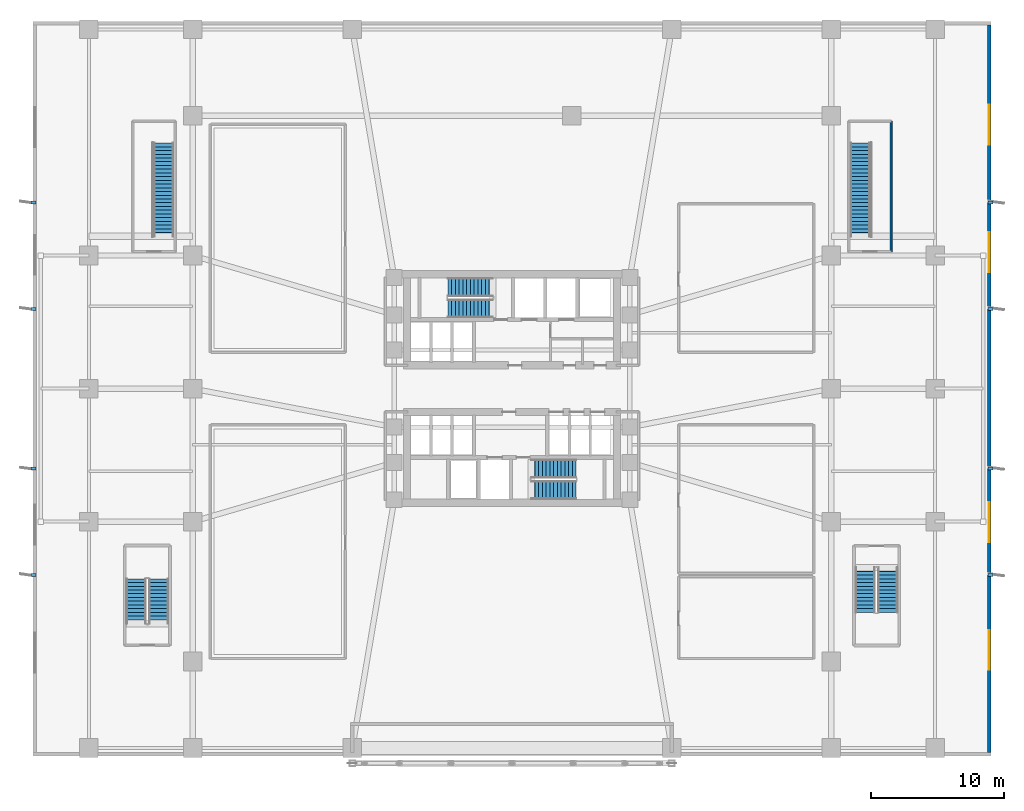
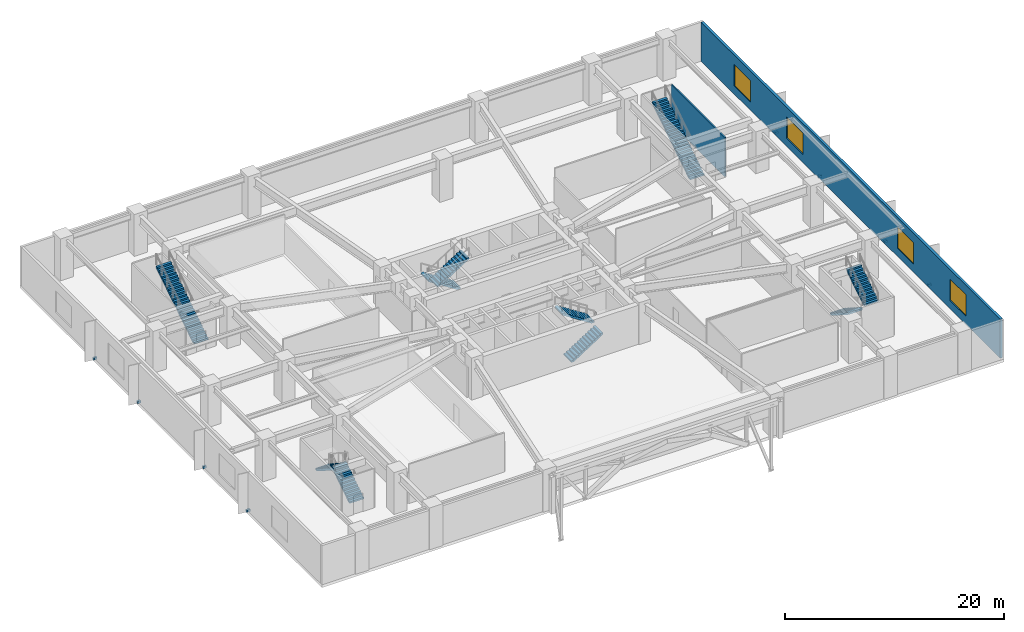
# One storey, part 15 of 21: 10 stair flights, 8 discrete accessories, 4 windows, 2 walls, 4 openings, 6 elements without a shape of their own.
"""IFC4 building model written with IfcOpenShell, lengths in metres."""

from ifc_helpers import new_model, si_unit, direction, frame, frame_2d, origin, origin_2d, place, context, subcontext, project, spatial, polyline, rectangle, outline, extrude, material, layer, layer_set, type_object, element, fill, aggregate, save


model = new_model("IFC4")

# Units and contexts
model_context = context("Model", 3, precision=1e-05, world=origin(), true_north=direction((0.0, 1.0)))
body_context = subcontext(model_context, "Body", "Model", "MODEL_VIEW")
ifc_project = project(units=[si_unit("LENGTHUNIT", "METRE"), si_unit("AREAUNIT", "SQUARE_METRE"), si_unit("VOLUMEUNIT", "CUBIC_METRE"), si_unit("PLANEANGLEUNIT", "RADIAN"), si_unit("MASSUNIT", "GRAM", prefix="KILO")], contexts=[model_context])

# Site, building, storey
site_placement = place(None, origin())
site = spatial("IfcSite", under=ifc_project, at=site_placement, CompositionType="ELEMENT")
building_placement = place(site_placement, origin())
building = spatial("IfcBuilding", under=site, at=building_placement, Name="Solmarez Civic Tower", CompositionType="ELEMENT")
storey_placement = place(building_placement, frame((0.0, 0.0, 10.080078125)))
storey = spatial("IfcBuildingStorey", under=building, at=storey_placement, Name="L02", CompositionType="ELEMENT", Elevation=10.080078125)

# Wall, openings, windows
ifc_material_1 = material(Name="Precast concrete C40/50", Category="concrete")
ifc_layer_1 = layer(ifc_material_1, 0.260009765625)
ifc_layer_set_1 = layer_set([ifc_layer_1], Name="Precast concrete C40/50")
wall_type_1 = type_object("IfcWallType", Name="WALL-EXT-260", PredefinedType="SOLIDWALL", material=ifc_layer_set_1)
wall_1_placement = place(storey_placement, frame((35.8701171875, 27.340087890625, 0.0), z_axis=(0.0, 0.0, 1.0), x_axis=(0.0, -1.0, 0.0)))
wall_1 = element("IfcWall", 1, at=wall_1_placement, inside=storey, type_object=wall_type_1, Name="L02 East Exterior Precast Wall", PredefinedType="SOLIDWALL", context=body_context, shape_type="SweptSolid", body=[
    extrude(rectangle(XDim=54.68017578125, YDim=0.260009765625, at=frame_2d((27.340087890625, 0.0))), origin(), (0.0, 0.0, 1.0), 4.35986328125),
])
opening_1_placement = place(wall_1_placement, frame((6.0, 0.0, 0.89990234375)))
opening_1 = element("IfcOpeningElement", 2, at=opening_1_placement, cuts=wall_1, Name="Opening W-15", PredefinedType="OPENING", context=body_context, shape_type="SweptSolid", body=[
    extrude(rectangle(XDim=3.0, YDim=2.39990234375, at=frame_2d((1.5, 1.199951171875))), frame((0.0, 0.139892578125, 0.0), z_axis=(0.0, -1.0, 0.0), x_axis=(1.0, 0.0, 0.0)), (0.0, 0.0, 1.0), 0.280029296875),
])
opening_2_placement = place(wall_1_placement, frame((15.60009765625, 0.0, 0.89990234375)))
opening_2 = element("IfcOpeningElement", 3, at=opening_2_placement, cuts=wall_1, Name="Opening W-15", PredefinedType="OPENING", context=body_context, shape_type="SweptSolid", body=[
    extrude(rectangle(XDim=3.0, YDim=2.39990234375, at=frame_2d((1.5, 1.199951171875))), frame((0.0, 0.139892578125, 0.0), z_axis=(0.0, -1.0, 0.0), x_axis=(1.0, 0.0, 0.0)), (0.0, 0.0, 1.0), 0.280029296875),
])
opening_3_placement = place(wall_1_placement, frame((35.8798828125, 0.0, 0.89990234375)))
opening_3 = element("IfcOpeningElement", 4, at=opening_3_placement, cuts=wall_1, Name="Opening W-15", PredefinedType="OPENING", context=body_context, shape_type="SweptSolid", body=[
    extrude(rectangle(XDim=3.0, YDim=2.39990234375, at=frame_2d((1.5, 1.199951171875))), frame((0.0, 0.139892578125, 0.0), z_axis=(0.0, -1.0, 0.0), x_axis=(1.0, 0.0, 0.0)), (0.0, 0.0, 1.0), 0.280029296875),
])
opening_4_placement = place(wall_1_placement, frame((45.47998046875, 0.0, 0.89990234375)))
opening_4 = element("IfcOpeningElement", 5, at=opening_4_placement, cuts=wall_1, Name="Opening W-15", PredefinedType="OPENING", context=body_context, shape_type="SweptSolid", body=[
    extrude(rectangle(XDim=3.0, YDim=2.39990234375, at=frame_2d((1.5, 1.199951171875))), frame((0.0, 0.139892578125, 0.0), z_axis=(0.0, -1.0, 0.0), x_axis=(1.0, 0.0, 0.0)), (0.0, 0.0, 1.0), 0.280029296875),
])
ifc_material_2 = material(Name="Solar Control Bronze-Tinted Insulating Glass", Category="glass")
window_type = type_object("IfcWindowType", Name="WIN-3000X2400", PartitioningType="SINGLE_PANEL", PredefinedType="WINDOW", material=ifc_material_2)
window_1_placement = place(opening_1_placement, origin())
window_1 = element("IfcWindow", 6, at=window_1_placement, inside=storey, type_object=window_type, Name="L02 Podium Facade Window 1", OverallHeight=2.39990234375, OverallWidth=3.0, PartitioningType="SINGLE_PANEL", PredefinedType="WINDOW", context=body_context, shape_type="SweptSolid", body=[
    extrude(rectangle(XDim=3.0, YDim=2.39990234375, at=frame_2d((1.5, 1.199951171875))), frame((0.0, 0.030029296875, 0.0), z_axis=(0.0, -1.0, 0.0), x_axis=(1.0, 0.0, 0.0)), (0.0, 0.0, 1.0), 0.06005859375),
])
fill(opening_1, window_1)
window_2_placement = place(opening_2_placement, origin())
window_2 = element("IfcWindow", 7, at=window_2_placement, inside=storey, type_object=window_type, Name="L02 Podium Facade Window 2", OverallHeight=2.39990234375, OverallWidth=3.0, PartitioningType="SINGLE_PANEL", PredefinedType="WINDOW", context=body_context, shape_type="SweptSolid", body=[
    extrude(rectangle(XDim=3.0, YDim=2.39990234375, at=frame_2d((1.5, 1.199951171875))), frame((0.0, 0.030029296875, 0.0), z_axis=(0.0, -1.0, 0.0), x_axis=(1.0, 0.0, 0.0)), (0.0, 0.0, 1.0), 0.06005859375),
])
fill(opening_2, window_2)
window_3_placement = place(opening_3_placement, origin())
window_3 = element("IfcWindow", 8, at=window_3_placement, inside=storey, type_object=window_type, Name="L02 Podium Facade Window 3", OverallHeight=2.39990234375, OverallWidth=3.0, PartitioningType="SINGLE_PANEL", PredefinedType="WINDOW", context=body_context, shape_type="SweptSolid", body=[
    extrude(rectangle(XDim=3.0, YDim=2.39990234375, at=frame_2d((1.5, 1.199951171875))), frame((0.0, 0.030029296875, 0.0), z_axis=(0.0, -1.0, 0.0), x_axis=(1.0, 0.0, 0.0)), (0.0, 0.0, 1.0), 0.06005859375),
])
fill(opening_3, window_3)
window_4_placement = place(opening_4_placement, origin())
window_4 = element("IfcWindow", 9, at=window_4_placement, inside=storey, type_object=window_type, Name="L02 Podium Facade Window 4", OverallHeight=2.39990234375, OverallWidth=3.0, PartitioningType="SINGLE_PANEL", PredefinedType="WINDOW", context=body_context, shape_type="SweptSolid", body=[
    extrude(rectangle(XDim=3.0, YDim=2.39990234375, at=frame_2d((1.5, 1.199951171875))), frame((0.0, 0.030029296875, 0.0), z_axis=(0.0, -1.0, 0.0), x_axis=(1.0, 0.0, 0.0)), (0.0, 0.0, 1.0), 0.06005859375),
])
fill(opening_4, window_4)

# Wall
ifc_material_3 = material(Name="Gypsum Board Acoustic Steel-Stud Partition", Category="steel")
ifc_layer_2 = layer(ifc_material_3, 0.14990234375)
ifc_layer_set_2 = layer_set([ifc_layer_2], Name="Gypsum Board Acoustic Steel-Stud Partition")
wall_type_2 = type_object("IfcWallType", Name="WALL-INT-FIRE-150", PredefinedType="PARTITIONING", material=ifc_layer_set_2)
wall_2_placement = place(storey_placement, frame((28.47998046875, 10.300048828125, 0.0), z_axis=(0.0, 0.0, 1.0), x_axis=(0.0, 1.0, 0.0)))
element("IfcWall", 10, at=wall_2_placement, inside=storey, type_object=wall_type_2, Name="L02 Podium Stair P4 Shaft Wall", PredefinedType="PARTITIONING", context=body_context, shape_type="SweptSolid", body=[
    extrude(rectangle(XDim=9.800048828125, YDim=0.14990234375, at=frame_2d((4.89990234375, 0.0))), origin(), (0.0, 0.0, 1.0), 4.35986328125),
])

# Stair, stair flights
ifc_material_4 = material(Name="Concrete C50/60", Category="concrete")
stair_type_1 = type_object("IfcStairType", Name="STAIR-DOGLEG-140W-26R-1800", PredefinedType="HALF_TURN_STAIR", material=ifc_material_4)
stair_1_placement = place(storey_placement, origin())
stair_1 = element("IfcStair", 11, at=stair_1_placement, inside=storey, type_object=stair_type_1, Name="L02 North Core Protected Exit Stair ST-1", PredefinedType="HALF_TURN_STAIR")
stair_flight_type_1 = type_object("IfcStairFlightType", Name="FLIGHT-DOGLEG-140W-13R-1800", PredefinedType="STRAIGHT", material=ifc_material_4)
stair_flight_1_placement = place(storey_placement, frame((-1.449951171875, 7.6201171875, 0.0), z_axis=(0.0, 0.0, 1.0), x_axis=(-1.0, 0.0, 0.0)))
stair_flight_1 = element("IfcStairFlight", 12, at=stair_flight_1_placement, type_object=stair_flight_type_1, Name="ST-1 flight 1", NumberOfRisers=13, NumberOfTreads=12, PredefinedType="STRAIGHT", RiserHeight=0.18, TreadLength=0.28, context=body_context, shape_type="SweptSolid", body=[
    extrude(outline(polyline([(0.0, 0.0), (0.0, 0.179931640625), (0.280029296875, 0.179931640625), (0.280029296875, 0.360107421875), (0.56005859375, 0.360107421875), (0.56005859375, 0.5400390625), (0.840087890625, 0.5400390625), (0.840087890625, 0.719970703125), (1.1201171875, 0.719970703125), (1.1201171875, 0.89990234375), (1.39990234375, 0.89990234375), (1.39990234375, 1.080078125), (1.679931640625, 1.080078125), (1.679931640625, 1.260009765625), (1.9599609375, 1.260009765625), (1.9599609375, 1.43994140625), (2.239990234375, 1.43994140625), (2.239990234375, 1.6201171875), (2.52001953125, 1.6201171875), (2.52001953125, 1.800048828125), (2.800048828125, 1.800048828125), (2.800048828125, 1.97998046875), (3.080078125, 1.97998046875), (3.080078125, 2.159912109375), (3.360107421875, 2.159912109375), (3.360107421875, 2.340087890625), (3.360107421875, 1.969970703125), (0.295654296875, 0.0), (0.0, 0.0)])), frame((0.0, 0.699951171875, 0.0), z_axis=(0.0, -1.0, 0.0), x_axis=(1.0, 0.0, 0.0)), (0.0, 0.0, 1.0), 1.39990234375),
])
stair_flight_2_placement = place(storey_placement, frame((-4.81005859375, 6.02001953125, 2.33984375), z_axis=(0.0, 0.0, 1.0), x_axis=(1.0, 0.0, 0.0)))
stair_flight_2 = element("IfcStairFlight", 13, at=stair_flight_2_placement, type_object=stair_flight_type_1, Name="ST-1 flight 2", NumberOfRisers=13, NumberOfTreads=12, PredefinedType="STRAIGHT", RiserHeight=0.18, TreadLength=0.28, context=body_context, shape_type="SweptSolid", body=[
    extrude(outline(polyline([(0.0, 0.0), (0.0, 0.179931640625), (0.280029296875, 0.179931640625), (0.280029296875, 0.360107421875), (0.56005859375, 0.360107421875), (0.56005859375, 0.5400390625), (0.840087890625, 0.5400390625), (0.840087890625, 0.719970703125), (1.1201171875, 0.719970703125), (1.1201171875, 0.89990234375), (1.39990234375, 0.89990234375), (1.39990234375, 1.080078125), (1.679931640625, 1.080078125), (1.679931640625, 1.260009765625), (1.9599609375, 1.260009765625), (1.9599609375, 1.43994140625), (2.239990234375, 1.43994140625), (2.239990234375, 1.6201171875), (2.52001953125, 1.6201171875), (2.52001953125, 1.800048828125), (2.800048828125, 1.800048828125), (2.800048828125, 1.97998046875), (3.080078125, 1.97998046875), (3.080078125, 2.159912109375), (3.360107421875, 2.159912109375), (3.360107421875, 2.340087890625), (3.360107421875, 1.969970703125), (0.295654296875, 0.0), (0.0, 0.0)])), frame((0.0, 0.699951171875, 0.0), z_axis=(0.0, -1.0, 0.0), x_axis=(1.0, 0.0, 0.0)), (0.0, 0.0, 1.0), 1.39990234375),
])
aggregate(stair_1, [stair_flight_1, stair_flight_2])

stair_2_placement = place(storey_placement, origin())
stair_2 = element("IfcStair", 14, at=stair_2_placement, inside=storey, type_object=stair_type_1, Name="L02 South Core Protected Exit Stair ST-2", PredefinedType="HALF_TURN_STAIR")
stair_flight_3_placement = place(storey_placement, frame((1.449951171875, -7.6201171875, 0.0), z_axis=(0.0, 0.0, 1.0), x_axis=(1.0, 0.0, 0.0)))
stair_flight_3 = element("IfcStairFlight", 15, at=stair_flight_3_placement, type_object=stair_flight_type_1, Name="ST-2 flight 1", NumberOfRisers=13, NumberOfTreads=12, PredefinedType="STRAIGHT", RiserHeight=0.18, TreadLength=0.28, context=body_context, shape_type="SweptSolid", body=[
    extrude(outline(polyline([(0.0, 0.0), (0.0, 0.179931640625), (0.280029296875, 0.179931640625), (0.280029296875, 0.360107421875), (0.56005859375, 0.360107421875), (0.56005859375, 0.5400390625), (0.840087890625, 0.5400390625), (0.840087890625, 0.719970703125), (1.1201171875, 0.719970703125), (1.1201171875, 0.89990234375), (1.39990234375, 0.89990234375), (1.39990234375, 1.080078125), (1.679931640625, 1.080078125), (1.679931640625, 1.260009765625), (1.9599609375, 1.260009765625), (1.9599609375, 1.43994140625), (2.239990234375, 1.43994140625), (2.239990234375, 1.6201171875), (2.52001953125, 1.6201171875), (2.52001953125, 1.800048828125), (2.800048828125, 1.800048828125), (2.800048828125, 1.97998046875), (3.080078125, 1.97998046875), (3.080078125, 2.159912109375), (3.360107421875, 2.159912109375), (3.360107421875, 2.340087890625), (3.360107421875, 1.969970703125), (0.295654296875, 0.0), (0.0, 0.0)])), frame((0.0, 0.699951171875, 0.0), z_axis=(0.0, -1.0, 0.0), x_axis=(1.0, 0.0, 0.0)), (0.0, 0.0, 1.0), 1.39990234375),
])
stair_flight_4_placement = place(storey_placement, frame((4.81005859375, -6.02001953125, 2.33984375), z_axis=(0.0, 0.0, 1.0), x_axis=(-1.0, 0.0, 0.0)))
stair_flight_4 = element("IfcStairFlight", 16, at=stair_flight_4_placement, type_object=stair_flight_type_1, Name="ST-2 flight 2", NumberOfRisers=13, NumberOfTreads=12, PredefinedType="STRAIGHT", RiserHeight=0.18, TreadLength=0.28, context=body_context, shape_type="SweptSolid", body=[
    extrude(outline(polyline([(0.0, 0.0), (0.0, 0.179931640625), (0.280029296875, 0.179931640625), (0.280029296875, 0.360107421875), (0.56005859375, 0.360107421875), (0.56005859375, 0.5400390625), (0.840087890625, 0.5400390625), (0.840087890625, 0.719970703125), (1.1201171875, 0.719970703125), (1.1201171875, 0.89990234375), (1.39990234375, 0.89990234375), (1.39990234375, 1.080078125), (1.679931640625, 1.080078125), (1.679931640625, 1.260009765625), (1.9599609375, 1.260009765625), (1.9599609375, 1.43994140625), (2.239990234375, 1.43994140625), (2.239990234375, 1.6201171875), (2.52001953125, 1.6201171875), (2.52001953125, 1.800048828125), (2.800048828125, 1.800048828125), (2.800048828125, 1.97998046875), (3.080078125, 1.97998046875), (3.080078125, 2.159912109375), (3.360107421875, 2.159912109375), (3.360107421875, 2.340087890625), (3.360107421875, 1.969970703125), (0.295654296875, 0.0), (0.0, 0.0)])), frame((0.0, 0.699951171875, 0.0), z_axis=(0.0, -1.0, 0.0), x_axis=(1.0, 0.0, 0.0)), (0.0, 0.0, 1.0), 1.39990234375),
])
aggregate(stair_2, [stair_flight_3, stair_flight_4])

stair_type_2 = type_object("IfcStairType", Name="STAIR-DOGLEG-150W-26R-1800", PredefinedType="HALF_TURN_STAIR", material=ifc_material_4)
stair_3_placement = place(storey_placement, origin())
stair_3 = element("IfcStair", 17, at=stair_3_placement, inside=storey, type_object=stair_type_2, Name="L02 West Podium Exit Stair ST-P1", PredefinedType="HALF_TURN_STAIR")
stair_flight_type_2 = type_object("IfcStairFlightType", Name="FLIGHT-DOGLEG-150W-13R-1800", PredefinedType="STRAIGHT", material=ifc_material_4)
stair_flight_5_placement = place(storey_placement, frame((-26.550048828125, -17.64990234375, 0.0), z_axis=(0.0, 0.0, 1.0), x_axis=(0.0, 1.0, 0.0)))
stair_flight_5 = element("IfcStairFlight", 18, at=stair_flight_5_placement, type_object=stair_flight_type_2, Name="ST-P1 flight 1", NumberOfRisers=13, NumberOfTreads=12, PredefinedType="STRAIGHT", RiserHeight=0.18, TreadLength=0.28, context=body_context, shape_type="SweptSolid", body=[
    extrude(outline(polyline([(0.0, 0.0), (0.0, 0.179931640625), (0.280029296875, 0.179931640625), (0.280029296875, 0.360107421875), (0.56005859375, 0.360107421875), (0.56005859375, 0.5400390625), (0.840087890625, 0.5400390625), (0.840087890625, 0.719970703125), (1.1201171875, 0.719970703125), (1.1201171875, 0.89990234375), (1.39990234375, 0.89990234375), (1.39990234375, 1.080078125), (1.679931640625, 1.080078125), (1.679931640625, 1.260009765625), (1.9599609375, 1.260009765625), (1.9599609375, 1.43994140625), (2.239990234375, 1.43994140625), (2.239990234375, 1.6201171875), (2.52001953125, 1.6201171875), (2.52001953125, 1.800048828125), (2.800048828125, 1.800048828125), (2.800048828125, 1.97998046875), (3.080078125, 1.97998046875), (3.080078125, 2.159912109375), (3.360107421875, 2.159912109375), (3.360107421875, 2.340087890625), (3.360107421875, 1.969970703125), (0.295654296875, 0.0), (0.0, 0.0)])), frame((0.0, 0.75, 0.0), z_axis=(0.0, -1.0, 0.0), x_axis=(1.0, 0.0, 0.0)), (0.0, 0.0, 1.0), 1.5),
])
stair_flight_6_placement = place(storey_placement, frame((-28.25, -14.2900390625, 2.33984375), z_axis=(0.0, 0.0, 1.0), x_axis=(0.0, -1.0, 0.0)))
stair_flight_6 = element("IfcStairFlight", 19, at=stair_flight_6_placement, type_object=stair_flight_type_2, Name="ST-P1 flight 2", NumberOfRisers=13, NumberOfTreads=12, PredefinedType="STRAIGHT", RiserHeight=0.18, TreadLength=0.28, context=body_context, shape_type="SweptSolid", body=[
    extrude(outline(polyline([(0.0, 0.0), (0.0, 0.179931640625), (0.280029296875, 0.179931640625), (0.280029296875, 0.360107421875), (0.56005859375, 0.360107421875), (0.56005859375, 0.5400390625), (0.840087890625, 0.5400390625), (0.840087890625, 0.719970703125), (1.1201171875, 0.719970703125), (1.1201171875, 0.89990234375), (1.39990234375, 0.89990234375), (1.39990234375, 1.080078125), (1.679931640625, 1.080078125), (1.679931640625, 1.260009765625), (1.9599609375, 1.260009765625), (1.9599609375, 1.43994140625), (2.239990234375, 1.43994140625), (2.239990234375, 1.6201171875), (2.52001953125, 1.6201171875), (2.52001953125, 1.800048828125), (2.800048828125, 1.800048828125), (2.800048828125, 1.97998046875), (3.080078125, 1.97998046875), (3.080078125, 2.159912109375), (3.360107421875, 2.159912109375), (3.360107421875, 2.340087890625), (3.360107421875, 1.969970703125), (0.295654296875, 0.0), (0.0, 0.0)])), frame((0.0, 0.75, 0.0), z_axis=(0.0, -1.0, 0.0), x_axis=(1.0, 0.0, 0.0)), (0.0, 0.0, 1.0), 1.5),
])
aggregate(stair_3, [stair_flight_5, stair_flight_6])

stair_4_placement = place(storey_placement, origin())
stair_4 = element("IfcStair", 20, at=stair_4_placement, inside=storey, type_object=stair_type_2, Name="L02 East Podium Exit Stair ST-P2", PredefinedType="HALF_TURN_STAIR")
stair_flight_7_placement = place(storey_placement, frame((26.550048828125, -13.449951171875, 0.0), z_axis=(0.0, 0.0, 1.0), x_axis=(0.0, -1.0, 0.0)))
stair_flight_7 = element("IfcStairFlight", 21, at=stair_flight_7_placement, type_object=stair_flight_type_2, Name="ST-P2 flight 1", NumberOfRisers=13, NumberOfTreads=12, PredefinedType="STRAIGHT", RiserHeight=0.18, TreadLength=0.28, context=body_context, shape_type="SweptSolid", body=[
    extrude(outline(polyline([(0.0, 0.0), (0.0, 0.179931640625), (0.280029296875, 0.179931640625), (0.280029296875, 0.360107421875), (0.56005859375, 0.360107421875), (0.56005859375, 0.5400390625), (0.840087890625, 0.5400390625), (0.840087890625, 0.719970703125), (1.1201171875, 0.719970703125), (1.1201171875, 0.89990234375), (1.39990234375, 0.89990234375), (1.39990234375, 1.080078125), (1.679931640625, 1.080078125), (1.679931640625, 1.260009765625), (1.9599609375, 1.260009765625), (1.9599609375, 1.43994140625), (2.239990234375, 1.43994140625), (2.239990234375, 1.6201171875), (2.52001953125, 1.6201171875), (2.52001953125, 1.800048828125), (2.800048828125, 1.800048828125), (2.800048828125, 1.97998046875), (3.080078125, 1.97998046875), (3.080078125, 2.159912109375), (3.360107421875, 2.159912109375), (3.360107421875, 2.340087890625), (3.360107421875, 1.969970703125), (0.295654296875, 0.0), (0.0, 0.0)])), frame((0.0, 0.75, 0.0), z_axis=(0.0, -1.0, 0.0), x_axis=(1.0, 0.0, 0.0)), (0.0, 0.0, 1.0), 1.5),
])
stair_flight_8_placement = place(storey_placement, frame((28.25, -16.81005859375, 2.33984375), z_axis=(0.0, 0.0, 1.0), x_axis=(0.0, 1.0, 0.0)))
stair_flight_8 = element("IfcStairFlight", 22, at=stair_flight_8_placement, type_object=stair_flight_type_2, Name="ST-P2 flight 2", NumberOfRisers=13, NumberOfTreads=12, PredefinedType="STRAIGHT", RiserHeight=0.18, TreadLength=0.28, context=body_context, shape_type="SweptSolid", body=[
    extrude(outline(polyline([(0.0, 0.0), (0.0, 0.179931640625), (0.280029296875, 0.179931640625), (0.280029296875, 0.360107421875), (0.56005859375, 0.360107421875), (0.56005859375, 0.5400390625), (0.840087890625, 0.5400390625), (0.840087890625, 0.719970703125), (1.1201171875, 0.719970703125), (1.1201171875, 0.89990234375), (1.39990234375, 0.89990234375), (1.39990234375, 1.080078125), (1.679931640625, 1.080078125), (1.679931640625, 1.260009765625), (1.9599609375, 1.260009765625), (1.9599609375, 1.43994140625), (2.239990234375, 1.43994140625), (2.239990234375, 1.6201171875), (2.52001953125, 1.6201171875), (2.52001953125, 1.800048828125), (2.800048828125, 1.800048828125), (2.800048828125, 1.97998046875), (3.080078125, 1.97998046875), (3.080078125, 2.159912109375), (3.360107421875, 2.159912109375), (3.360107421875, 2.340087890625), (3.360107421875, 1.969970703125), (0.295654296875, 0.0), (0.0, 0.0)])), frame((0.0, 0.75, 0.0), z_axis=(0.0, -1.0, 0.0), x_axis=(1.0, 0.0, 0.0)), (0.0, 0.0, 1.0), 1.5),
])
aggregate(stair_4, [stair_flight_7, stair_flight_8])

# Stair, stair flight
stair_type_3 = type_object("IfcStairType", Name="STAIR-POD-STR-26R", PredefinedType="STRAIGHT_RUN_STAIR", material=ifc_material_4)
stair_5_placement = place(storey_placement, origin())
stair_5 = element("IfcStair", 23, at=stair_5_placement, inside=storey, type_object=stair_type_3, Name="L02 Podium Straight Stair ST-P3", PredefinedType="STRAIGHT_RUN_STAIR")
stair_flight_type_3 = type_object("IfcStairFlightType", Name="FLIGHT-POD-STR-26R", PredefinedType="STRAIGHT", material=ifc_material_4)
stair_flight_9_placement = place(storey_placement, frame((-26.175048828125, 11.449951171875, 0.0), z_axis=(0.0, 0.0, 1.0), x_axis=(0.0, 1.0, 0.0)))
stair_flight_9 = element("IfcStairFlight", 24, at=stair_flight_9_placement, type_object=stair_flight_type_3, Name="STP-26R flight 1", NumberOfRisers=26, NumberOfTreads=25, PredefinedType="STRAIGHT", RiserHeight=0.18, TreadLength=0.28, context=body_context, shape_type="SweptSolid", body=[
    extrude(outline(polyline([(0.0, 0.0), (0.0, 0.179931640625), (0.280029296875, 0.179931640625), (0.280029296875, 0.360107421875), (0.56005859375, 0.360107421875), (0.56005859375, 0.5400390625), (0.840087890625, 0.5400390625), (0.840087890625, 0.719970703125), (1.1201171875, 0.719970703125), (1.1201171875, 0.89990234375), (1.39990234375, 0.89990234375), (1.39990234375, 1.080078125), (1.679931640625, 1.080078125), (1.679931640625, 1.260009765625), (1.9599609375, 1.260009765625), (1.9599609375, 1.43994140625), (2.239990234375, 1.43994140625), (2.239990234375, 1.6201171875), (2.52001953125, 1.6201171875), (2.52001953125, 1.800048828125), (2.800048828125, 1.800048828125), (2.800048828125, 1.97998046875), (3.080078125, 1.97998046875), (3.080078125, 2.159912109375), (3.360107421875, 2.159912109375), (3.360107421875, 2.340087890625), (3.639892578125, 2.340087890625), (3.639892578125, 2.52001953125), (3.919921875, 2.52001953125), (3.919921875, 2.699951171875), (4.199951171875, 2.699951171875), (4.199951171875, 2.8798828125), (4.47998046875, 2.8798828125), (4.47998046875, 3.06005859375), (4.760009765625, 3.06005859375), (4.760009765625, 3.239990234375), (5.0400390625, 3.239990234375), (5.0400390625, 3.419921875), (5.320068359375, 3.419921875), (5.320068359375, 3.60009765625), (5.60009765625, 3.60009765625), (5.60009765625, 3.780029296875), (5.8798828125, 3.780029296875), (5.8798828125, 3.9599609375), (6.159912109375, 3.9599609375), (6.159912109375, 4.139892578125), (6.43994140625, 4.139892578125), (6.43994140625, 4.320068359375), (6.719970703125, 4.320068359375), (6.719970703125, 4.5), (7.0, 4.5), (7.0, 4.679931640625), (7.0, 4.2861328125), (0.332763671875, 0.0), (0.0, 0.0)])), frame((0.0, 0.75, 0.0), z_axis=(0.0, -1.0, 0.0), x_axis=(1.0, 0.0, 0.0)), (0.0, 0.0, 1.0), 1.5),
])
aggregate(stair_5, [stair_flight_9])

stair_6_placement = place(storey_placement, origin())
stair_6 = element("IfcStair", 25, at=stair_6_placement, inside=storey, type_object=stair_type_3, Name="L02 Podium Straight Stair ST-P4", PredefinedType="STRAIGHT_RUN_STAIR")
stair_flight_10_placement = place(storey_placement, frame((26.175048828125, 11.449951171875, 0.0), z_axis=(0.0, 0.0, 1.0), x_axis=(0.0, 1.0, 0.0)))
stair_flight_10 = element("IfcStairFlight", 26, at=stair_flight_10_placement, type_object=stair_flight_type_3, Name="STP-26R flight 1", NumberOfRisers=26, NumberOfTreads=25, PredefinedType="STRAIGHT", RiserHeight=0.18, TreadLength=0.28, context=body_context, shape_type="SweptSolid", body=[
    extrude(outline(polyline([(0.0, 0.0), (0.0, 0.179931640625), (0.280029296875, 0.179931640625), (0.280029296875, 0.360107421875), (0.56005859375, 0.360107421875), (0.56005859375, 0.5400390625), (0.840087890625, 0.5400390625), (0.840087890625, 0.719970703125), (1.1201171875, 0.719970703125), (1.1201171875, 0.89990234375), (1.39990234375, 0.89990234375), (1.39990234375, 1.080078125), (1.679931640625, 1.080078125), (1.679931640625, 1.260009765625), (1.9599609375, 1.260009765625), (1.9599609375, 1.43994140625), (2.239990234375, 1.43994140625), (2.239990234375, 1.6201171875), (2.52001953125, 1.6201171875), (2.52001953125, 1.800048828125), (2.800048828125, 1.800048828125), (2.800048828125, 1.97998046875), (3.080078125, 1.97998046875), (3.080078125, 2.159912109375), (3.360107421875, 2.159912109375), (3.360107421875, 2.340087890625), (3.639892578125, 2.340087890625), (3.639892578125, 2.52001953125), (3.919921875, 2.52001953125), (3.919921875, 2.699951171875), (4.199951171875, 2.699951171875), (4.199951171875, 2.8798828125), (4.47998046875, 2.8798828125), (4.47998046875, 3.06005859375), (4.760009765625, 3.06005859375), (4.760009765625, 3.239990234375), (5.0400390625, 3.239990234375), (5.0400390625, 3.419921875), (5.320068359375, 3.419921875), (5.320068359375, 3.60009765625), (5.60009765625, 3.60009765625), (5.60009765625, 3.780029296875), (5.8798828125, 3.780029296875), (5.8798828125, 3.9599609375), (6.159912109375, 3.9599609375), (6.159912109375, 4.139892578125), (6.43994140625, 4.139892578125), (6.43994140625, 4.320068359375), (6.719970703125, 4.320068359375), (6.719970703125, 4.5), (7.0, 4.5), (7.0, 4.679931640625), (7.0, 4.2861328125), (0.332763671875, 0.0), (0.0, 0.0)])), frame((0.0, 0.75, 0.0), z_axis=(0.0, -1.0, 0.0), x_axis=(1.0, 0.0, 0.0)), (0.0, 0.0, 1.0), 1.5),
])
aggregate(stair_6, [stair_flight_10])

# Discrete accessories
ifc_material_5 = material(Name="Stainless Steel Grade 1.4401", Category="steel")
discrete_accessory_type = type_object("IfcDiscreteAccessoryType", Name="BRACKET-SS-FIN", PredefinedType="BRACKET", material=ifc_material_5)
for number, where, z_axis, x_axis, name in (
    (27, (35.949951171875, -14.0, -0.06005859375), (0.0, 0.0, 1.0), (1.0, 0.0, 0.0), "L02 Stainless Fin Support Bracket FIN-L02-E1"),
    (28, (35.949951171875, -6.0, -0.06005859375), (0.0, 0.0, 1.0), (1.0, 0.0, 0.0), "L02 Stainless Fin Support Bracket FIN-L02-E2"),
    (29, (35.949951171875, 6.0, -0.06005859375), (0.0, 0.0, 1.0), (1.0, 0.0, 0.0), "L02 Stainless Fin Support Bracket FIN-L02-E3"),
    (30, (35.949951171875, 14.0, -0.06005859375), (0.0, 0.0, 1.0), (1.0, 0.0, 0.0), "L02 Stainless Fin Support Bracket FIN-L02-E4"),
    (31, (-35.949951171875, -14.0, -0.06005859375), (0.0, 0.0, 1.0), (-1.0, 0.0, 0.0), "L02 Stainless Fin Support Bracket FIN-L02-W1"),
    (32, (-35.949951171875, -6.0, -0.06005859375), (0.0, 0.0, 1.0), (-1.0, 0.0, 0.0), "L02 Stainless Fin Support Bracket FIN-L02-W2"),
    (33, (-35.949951171875, 6.0, -0.06005859375), (0.0, 0.0, 1.0), (-1.0, 0.0, 0.0), "L02 Stainless Fin Support Bracket FIN-L02-W3"),
    (34, (-35.949951171875, 14.0, -0.06005859375), (0.0, 0.0, 1.0), (-1.0, 0.0, 0.0), "L02 Stainless Fin Support Bracket FIN-L02-W4"),
):
    element("IfcDiscreteAccessory", number, at=place(storey_placement, frame(where, z_axis=z_axis, x_axis=x_axis)), inside=storey, type_object=discrete_accessory_type, Name=name, PredefinedType="BRACKET", context=body_context, shape_type="SweptSolid", body=[
        extrude(rectangle(XDim=0.360107421875, YDim=0.219970703125, at=origin_2d()), origin(), (0.0, 0.0, 1.0), 0.239990234375),
    ])

save(model, "model.ifc")
